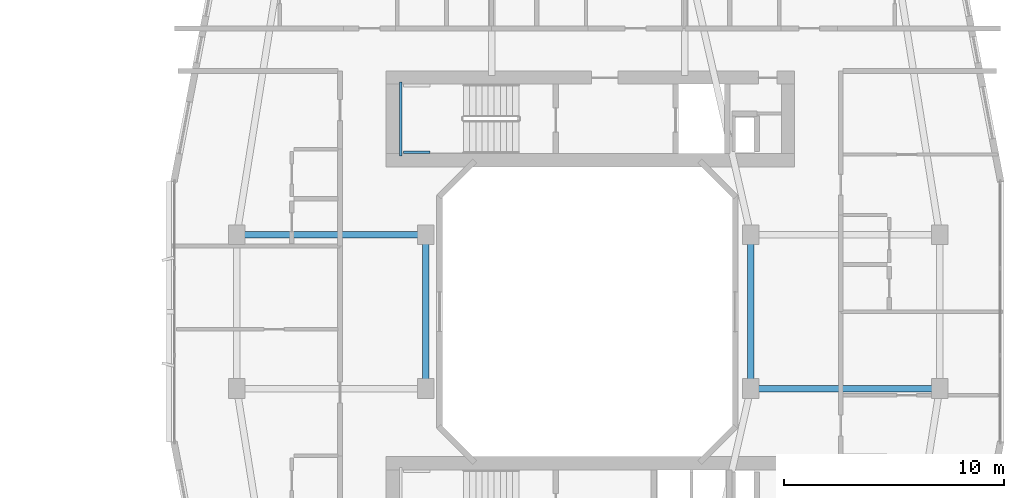
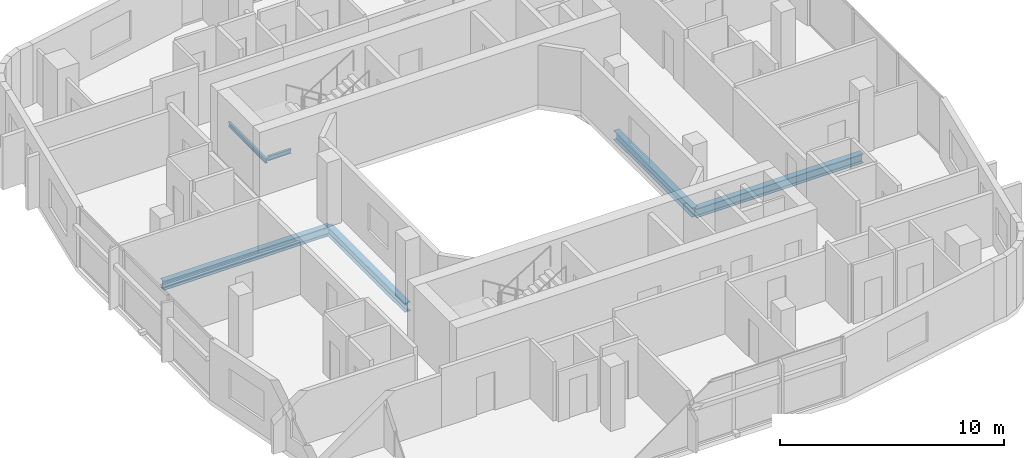
# One storey, part 9 of 27: 6 beams.
"""IFC4 building model written with IfcOpenShell, lengths in metres."""

from ifc_helpers import new_model, si_unit, derived_unit, direction, frame, origin, origin_2d, place, context, subcontext, project, spatial, i_section, extrude, material, material_profile, profile_set, type_object, element, save


model = new_model("IFC4")

# Units and contexts
model_context = context("Model", 3, precision=1e-05, world=origin(), true_north=direction((0.0, 1.0)))
body_context = subcontext(model_context, "Body", "Model", "MODEL_VIEW")
ifc_project = project(units=[si_unit("LENGTHUNIT", "METRE"), si_unit("AREAUNIT", "SQUARE_METRE"), si_unit("VOLUMEUNIT", "CUBIC_METRE"), si_unit("PLANEANGLEUNIT", "RADIAN"), si_unit("MASSUNIT", "GRAM", prefix="KILO"), derived_unit("THERMALTRANSMITTANCEUNIT", [(si_unit("POWERUNIT", "WATT"), 1), (si_unit("LENGTHUNIT", "METRE"), -2), (si_unit("THERMODYNAMICTEMPERATUREUNIT", "KELVIN"), -1)])], contexts=[model_context])

# Site, building, storey
site_placement = place(None, origin())
site = spatial("IfcSite", under=ifc_project, at=site_placement, CompositionType="ELEMENT")
building_placement = place(site_placement, origin())
building = spatial("IfcBuilding", under=site, at=building_placement, Name="Kivonza Crest Hotel", CompositionType="ELEMENT")
storey_placement = place(building_placement, frame((0.0, 0.0, 34.5)))
storey = spatial("IfcBuildingStorey", under=building, at=storey_placement, Name="L08", CompositionType="ELEMENT", Elevation=34.5)

# Beams
ifc_material = material(Name="Steel S355", Category="steel")
ifc_material_profile_1 = material_profile(ifc_material, i_section(OverallWidth=0.300048828125, OverallDepth=0.5, WebThickness=0.014404296875, FlangeThickness=0.028076171875, FilletRadius=0.027099609375, at=origin_2d()), Name="HEB 500")
ifc_profile_set_1 = profile_set([ifc_material_profile_1], Name="Steel S355")
beam_type_1 = type_object("IfcBeamType", Name="BM-HEB500", PredefinedType="BEAM", material=ifc_profile_set_1)
beam_1_placement = place(storey_placement, frame((61.0, 28.5, -0.5), z_axis=(1.0, 0.0, 0.0), x_axis=(0.0, 1.0, 0.0)))
element("IfcBeam", 1, at=beam_1_placement, inside=storey, type_object=beam_type_1, Name="Companion Tower T2 L08 girder W2-WL2", PredefinedType="BEAM", context=body_context, shape_type="SweptSolid", body=[
    extrude(i_section(OverallWidth=0.300048828125, OverallDepth=0.5, WebThickness=0.014404296875, FlangeThickness=0.028076171875, FilletRadius=0.027099609375, at=origin_2d()), origin(), (0.0, 0.0, 1.0), 8.60009765625),
])
beam_2_placement = place(storey_placement, frame((69.60009765625, 21.5, -0.5), z_axis=(0.0, 1.0, 0.0), x_axis=(-1.0, 0.0, 0.0)))
element("IfcBeam", 2, at=beam_2_placement, inside=storey, type_object=beam_type_1, Name="Companion Tower T2 L08 girder WL1-WL2", PredefinedType="BEAM", context=body_context, shape_type="SweptSolid", body=[
    extrude(i_section(OverallWidth=0.300048828125, OverallDepth=0.5, WebThickness=0.014404296875, FlangeThickness=0.028076171875, FilletRadius=0.027099609375, at=origin_2d()), origin(), (0.0, 0.0, 1.0), 7.0),
])
beam_3_placement = place(storey_placement, frame((84.39990234375, 21.5, -0.5), z_axis=(1.0, 0.0, 0.0), x_axis=(0.0, 1.0, 0.0)))
element("IfcBeam", 3, at=beam_3_placement, inside=storey, type_object=beam_type_1, Name="Companion Tower T2 L08 girder WR1-E1", PredefinedType="BEAM", context=body_context, shape_type="SweptSolid", body=[
    extrude(i_section(OverallWidth=0.300048828125, OverallDepth=0.5, WebThickness=0.014404296875, FlangeThickness=0.028076171875, FilletRadius=0.027099609375, at=origin_2d()), origin(), (0.0, 0.0, 1.0), 8.60009765625),
])
beam_4_placement = place(storey_placement, frame((84.39990234375, 21.5, -0.5), z_axis=(0.0, 1.0, 0.0), x_axis=(-1.0, 0.0, 0.0)))
element("IfcBeam", 4, at=beam_4_placement, inside=storey, type_object=beam_type_1, Name="Companion Tower T2 L08 girder WR1-WR2", PredefinedType="BEAM", context=body_context, shape_type="SweptSolid", body=[
    extrude(i_section(OverallWidth=0.300048828125, OverallDepth=0.5, WebThickness=0.014404296875, FlangeThickness=0.028076171875, FilletRadius=0.027099609375, at=origin_2d()), origin(), (0.0, 0.0, 1.0), 7.0),
])
ifc_material_profile_2 = material_profile(ifc_material, i_section(OverallWidth=0.1201171875, OverallDepth=0.239990234375, WebThickness=0.006103515625, FlangeThickness=0.009765625, FilletRadius=0.014892578125, at=origin_2d()), Name="IPE 240")
ifc_profile_set_2 = profile_set([ifc_material_profile_2], Name="Steel S355")
beam_type_2 = type_object("IfcBeamType", Name="BM-LLDG-240", PredefinedType="BEAM", material=ifc_profile_set_2)
beam_5_placement = place(storey_placement, frame((68.4599609375, 32.10009765625, 1.429931640625), z_axis=(0.0, 1.0, 0.0), x_axis=(-1.0, 0.0, 0.0)))
element("IfcBeam", 5, at=beam_5_placement, inside=storey, type_object=beam_type_2, Name="Stair ST-T2-N L08 West landing corbel", PredefinedType="BEAM", context=body_context, shape_type="SweptSolid", body=[
    extrude(i_section(OverallWidth=0.1201171875, OverallDepth=0.239990234375, WebThickness=0.006103515625, FlangeThickness=0.009765625, FilletRadius=0.014892578125, at=origin_2d()), origin(), (0.0, 0.0, 1.0), 3.35986328125),
])
beam_6_placement = place(storey_placement, frame((68.590087890625, 32.260009765625, 1.429931640625), z_axis=(1.0, 0.0, 0.0), x_axis=(0.0, 1.0, 0.0)))
element("IfcBeam", 6, at=beam_6_placement, inside=storey, type_object=beam_type_2, Name="Stair ST-T2-N L08 South landing corbel", PredefinedType="BEAM", context=body_context, shape_type="SweptSolid", body=[
    extrude(i_section(OverallWidth=0.1201171875, OverallDepth=0.239990234375, WebThickness=0.006103515625, FlangeThickness=0.009765625, FilletRadius=0.014892578125, at=origin_2d()), origin(), (0.0, 0.0, 1.0), 1.2099609375),
])

save(model, "model.ifc")
